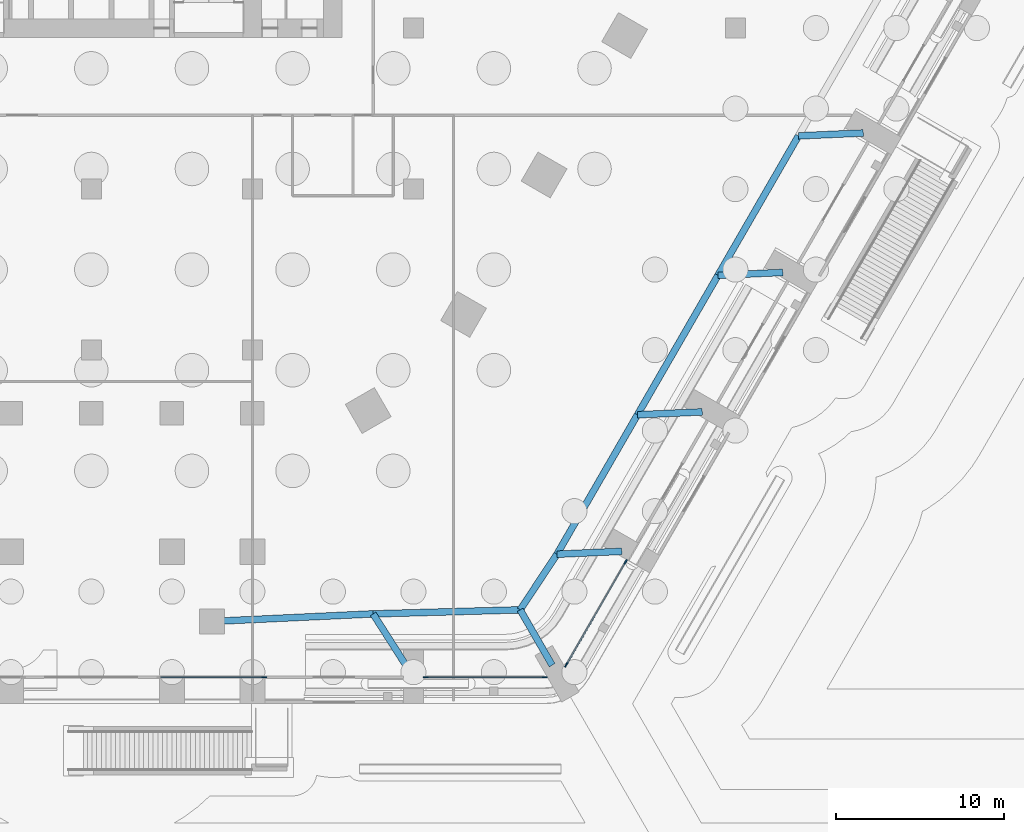
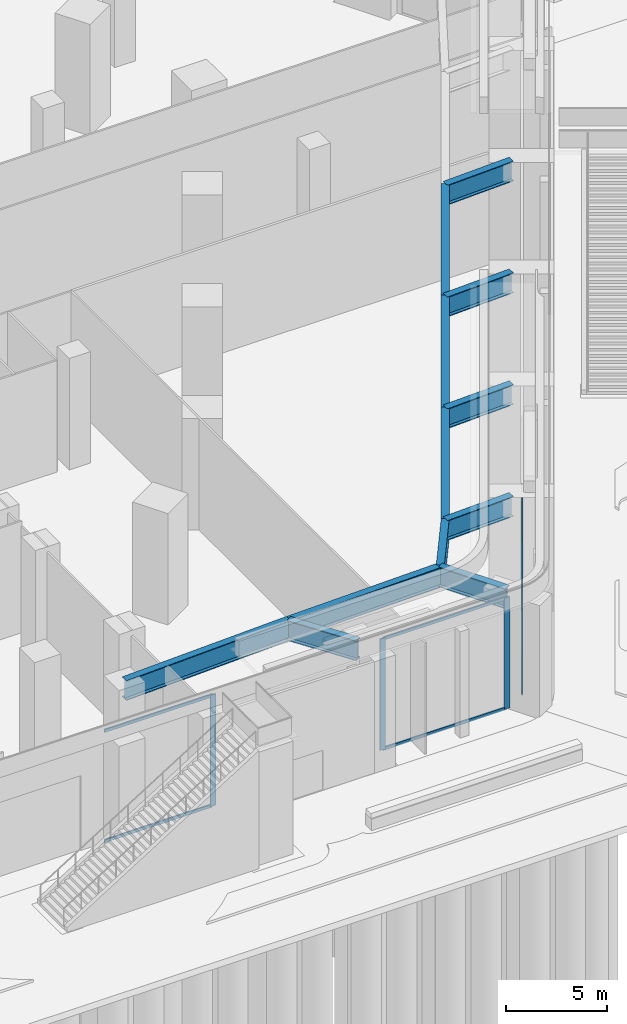
# One storey, part 5 of 68: 12 beams, 11 members, 3 elements without a shape of their own.
"""IFC4 building model written with IfcOpenShell, lengths in metres."""

from ifc_helpers import new_model, si_unit, direction, frame, origin, origin_2d, place, context, subcontext, project, spatial, rectangle, i_section, extrude, material, material_profile, profile_set, type_object, element, aggregate, save


model = new_model("IFC4")

# Units and contexts
model_context = context("Model", 3, precision=1e-05, world=origin(), true_north=direction((0.0, 1.0)))
body_context = subcontext(model_context, "Body", "Model", "MODEL_VIEW")
ifc_project = project(units=[si_unit("LENGTHUNIT", "METRE"), si_unit("AREAUNIT", "SQUARE_METRE"), si_unit("VOLUMEUNIT", "CUBIC_METRE"), si_unit("PLANEANGLEUNIT", "RADIAN"), si_unit("MASSUNIT", "GRAM", prefix="KILO")], contexts=[model_context])

# Site, building, storey
site_placement = place(None, origin())
site = spatial("IfcSite", under=ifc_project, at=site_placement, CompositionType="ELEMENT")
building_placement = place(site_placement, origin())
building = spatial("IfcBuilding", under=site, at=building_placement, Name="Kolab Exchange Tower", CompositionType="ELEMENT")
storey_placement = place(building_placement, origin())
storey = spatial("IfcBuildingStorey", under=building, at=storey_placement, Name="L00", CompositionType="ELEMENT", Elevation=0.0)

# Curtain wall, members
ifc_material_1 = material(Name="Aluminium EN AW-6063 T6", Category="aluminium")
curtain_wall_type = type_object("IfcCurtainWallType", Name="PODIUM STRUCTURAL GLAZING CURTAIN WALL", PredefinedType="NOTDEFINED", material=ifc_material_1)
curtain_wall_1_placement = place(storey_placement, origin())
curtain_wall_1 = element("IfcCurtainWall", 1, at=curtain_wall_1_placement, inside=storey, type_object=curtain_wall_type, Name="cw/L00/F3-2", PredefinedType="NOTDEFINED")
ifc_material_profile_1 = material_profile(ifc_material_1, rectangle(XDim=0.080078125, YDim=0.300048828125, at=origin_2d()), Name="RECT 80X300")
ifc_profile_set_1 = profile_set([ifc_material_profile_1], Name="Aluminium EN AW-6063 T6")
member_type_1 = type_object("IfcMemberType", Name="PODIUM STRUCTURAL GLAZING MULLION 80 X 300", PredefinedType="MULLION", material=ifc_profile_set_1)
member_1_placement = place(storey_placement, frame((31.856689453125, -41.4287109375, 0.0), z_axis=(0.0, 0.0, 1.0), x_axis=(0.866025384961, -0.500000032603, 0.0)))
member_1 = element("IfcMember", 2, at=member_1_placement, type_object=member_type_1, Name="CW5 mullion 1", PredefinedType="MULLION", context=body_context, shape_type="SweptSolid", body=[
    extrude(rectangle(XDim=0.080078125, YDim=0.300048828125, at=origin_2d()), origin(), (0.0, 0.0, 1.0), 6.699951171875),
])
member_2_placement = place(storey_placement, frame((28.317626953125, -47.558349609375, 0.0), z_axis=(0.0, 0.0, 1.0), x_axis=(0.866025384961, -0.500000032603, 0.0)))
member_2 = element("IfcMember", 3, at=member_2_placement, type_object=member_type_1, Name="CW5 mullion 2", PredefinedType="MULLION", context=body_context, shape_type="SweptSolid", body=[
    extrude(rectangle(XDim=0.080078125, YDim=0.300048828125, at=origin_2d()), origin(), (0.0, 0.0, 1.0), 6.699951171875),
])

curtain_wall_2_placement = place(storey_placement, origin())
curtain_wall_2 = element("IfcCurtainWall", 4, at=curtain_wall_2_placement, inside=storey, type_object=curtain_wall_type, Name="cw/L00/F4-1", PredefinedType="NOTDEFINED")
member_3_placement = place(storey_placement, frame((27.02783203125, -48.302978515625, 0.0), z_axis=(0.0, 0.0, 1.0), x_axis=(0.0, -1.0, 0.0)))
member_3 = element("IfcMember", 5, at=member_3_placement, type_object=member_type_1, Name="CW5 mullion 1", PredefinedType="MULLION", context=body_context, shape_type="SweptSolid", body=[
    extrude(rectangle(XDim=0.080078125, YDim=0.300048828125, at=origin_2d()), origin(), (0.0, 0.0, 1.0), 6.699951171875),
])
member_4_placement = place(storey_placement, frame((19.949951171875, -48.302978515625, 0.0), z_axis=(0.0, 0.0, 1.0), x_axis=(0.0, -1.0, 0.0)))
member_4 = element("IfcMember", 6, at=member_4_placement, type_object=member_type_1, Name="CW5 mullion 2", PredefinedType="MULLION", context=body_context, shape_type="SweptSolid", body=[
    extrude(rectangle(XDim=0.080078125, YDim=0.300048828125, at=origin_2d()), origin(), (0.0, 0.0, 1.0), 6.699951171875),
])

# Curtain wall, member
curtain_wall_3_placement = place(storey_placement, origin())
curtain_wall_3 = element("IfcCurtainWall", 7, at=curtain_wall_3_placement, inside=storey, type_object=curtain_wall_type, Name="cw/L00/F4-2", PredefinedType="NOTDEFINED")
member_5_placement = place(storey_placement, frame((10.31201171875, -48.302978515625, 0.0), z_axis=(0.0, 0.0, 1.0), x_axis=(0.0, -1.0, 0.0)))
member_5 = element("IfcMember", 8, at=member_5_placement, type_object=member_type_1, Name="CW5 mullion 1", PredefinedType="MULLION", context=body_context, shape_type="SweptSolid", body=[
    extrude(rectangle(XDim=0.080078125, YDim=0.300048828125, at=origin_2d()), origin(), (0.0, 0.0, 1.0), 6.699951171875),
])

# Member
ifc_material_profile_2 = material_profile(ifc_material_1, rectangle(XDim=0.080078125, YDim=0.179931640625, at=origin_2d()), Name="RECT 80X180")
ifc_profile_set_2 = profile_set([ifc_material_profile_2], Name="Aluminium EN AW-6063 T6")
member_type_2 = type_object("IfcMemberType", Name="PODIUM STRUCTURAL GLAZING TRANSOM 80 X 180", PredefinedType="USERDEFINED", material=ifc_profile_set_2)
member_6_placement = place(storey_placement, frame((31.836669921875, -41.46337890625, 0.0400390625), z_axis=(-0.500011362933, -0.866018843293, 0.0), x_axis=(0.866018843293, -0.500011362933, 0.0)))
member_6 = element("IfcMember", 9, at=member_6_placement, type_object=member_type_2, Name="CW5 transom 1.1", ObjectType="TRANSOM", PredefinedType="USERDEFINED", context=body_context, shape_type="SweptSolid", body=[
    extrude(rectangle(XDim=0.080078125, YDim=0.179931640625, at=origin_2d()), origin(), (0.0, 0.0, 1.0), 6.997802734375),
])

member_7_placement = place(storey_placement, frame((31.836669921875, -41.46337890625, 6.659912109375), z_axis=(-0.500011362933, -0.866018843293, 0.0), x_axis=(0.866018843293, -0.500011362933, 0.0)))
member_7 = element("IfcMember", 10, at=member_7_placement, type_object=member_type_2, Name="CW5 transom 1.2", ObjectType="TRANSOM", PredefinedType="USERDEFINED", context=body_context, shape_type="SweptSolid", body=[
    extrude(rectangle(XDim=0.080078125, YDim=0.179931640625, at=origin_2d()), origin(), (0.0, 0.0, 1.0), 6.997802734375),
])

aggregate(curtain_wall_1, [member_1, member_2, member_6, member_7])

member_8_placement = place(storey_placement, frame((26.988037109375, -48.302978515625, 0.0400390625), z_axis=(-1.0, 0.0, 0.0), x_axis=(0.0, -1.0, 0.0)))
member_8 = element("IfcMember", 11, at=member_8_placement, type_object=member_type_2, Name="CW5 transom 1.1", ObjectType="TRANSOM", PredefinedType="USERDEFINED", context=body_context, shape_type="SweptSolid", body=[
    extrude(rectangle(XDim=0.080078125, YDim=0.179931640625, at=origin_2d()), origin(), (0.0, 0.0, 1.0), 6.998046875),
])

member_9_placement = place(storey_placement, frame((26.988037109375, -48.302978515625, 6.659912109375), z_axis=(-1.0, 0.0, 0.0), x_axis=(0.0, -1.0, 0.0)))
member_9 = element("IfcMember", 12, at=member_9_placement, type_object=member_type_2, Name="CW5 transom 1.2", ObjectType="TRANSOM", PredefinedType="USERDEFINED", context=body_context, shape_type="SweptSolid", body=[
    extrude(rectangle(XDim=0.080078125, YDim=0.179931640625, at=origin_2d()), origin(), (0.0, 0.0, 1.0), 6.998046875),
])

aggregate(curtain_wall_2, [member_3, member_4, member_8, member_9])

member_10_placement = place(storey_placement, frame((10.27197265625, -48.302978515625, 0.0400390625), z_axis=(-1.0, 0.0, 0.0), x_axis=(0.0, -1.0, 0.0)))
member_10 = element("IfcMember", 13, at=member_10_placement, type_object=member_type_2, Name="CW5 transom 1.1", ObjectType="TRANSOM", PredefinedType="USERDEFINED", context=body_context, shape_type="SweptSolid", body=[
    extrude(rectangle(XDim=0.080078125, YDim=0.179931640625, at=origin_2d()), origin(), (0.0, 0.0, 1.0), 6.14404296875),
])

member_11_placement = place(storey_placement, frame((10.27197265625, -48.302978515625, 6.659912109375), z_axis=(-1.0, 0.0, 0.0), x_axis=(0.0, -1.0, 0.0)))
member_11 = element("IfcMember", 14, at=member_11_placement, type_object=member_type_2, Name="CW5 transom 1.2", ObjectType="TRANSOM", PredefinedType="USERDEFINED", context=body_context, shape_type="SweptSolid", body=[
    extrude(rectangle(XDim=0.080078125, YDim=0.179931640625, at=origin_2d()), origin(), (0.0, 0.0, 1.0), 6.14404296875),
])

aggregate(curtain_wall_3, [member_5, member_10, member_11])

# Beams
ifc_material_2 = material(Name="Steel S355", Category="steel")
ifc_material_profile_3 = material_profile(ifc_material_2, i_section(OverallWidth=0.39990234375, OverallDepth=1.199951171875, WebThickness=0.02490234375, FlangeThickness=0.0400390625, at=origin_2d()), Name="PG1200X400")
ifc_profile_set_3 = profile_set([ifc_material_profile_3], Name="Steel S355")
beam_type = type_object("IfcBeamType", Name="TRANSFER GIRDER PG1200X400", PredefinedType="BEAM", material=ifc_profile_set_3)
beam_1_placement = place(storey_placement, frame((42.160888671875, -16.027587890625, 6.10009765625), z_axis=(0.998995304141, 0.044814978577, 0.0), x_axis=(-0.044814978577, 0.998995304141, 0.0)))
element("IfcBeam", 15, at=beam_1_placement, inside=storey, type_object=beam_type, Name="beam/L00/tg/P1-F3-05", PredefinedType="BEAM", context=body_context, shape_type="SweptSolid", body=[
    extrude(i_section(OverallWidth=0.39990234375, OverallDepth=1.199951171875, WebThickness=0.02490234375, FlangeThickness=0.0400390625, at=origin_2d()), origin(), (0.0, 0.0, 1.0), 3.867919921875),
])
for number, where, z_axis, x_axis, name in (
    (16, (37.36083984375, -24.341552734375, 6.10009765625), (0.99899260341, 0.044875141586, 0.0), (-0.044875141586, 0.99899260341, 0.0), "beam/L00/tg/P1-F3-07"),
    (17, (32.560791015625, -32.655517578125, 6.10009765625), (0.998989771967, 0.044938129747, 0.0), (-0.044938129747, 0.998989771967, 0.0), "beam/L00/tg/P1-F3-09"),
    (18, (27.7607421875, -40.96923828125, 6.10009765625), (0.99899260341, 0.044875141586, 0.0), (-0.044875141586, 0.99899260341, 0.0), "beam/L00/tg/P1-F3-11"),
):
    element("IfcBeam", number, at=place(storey_placement, frame(where, z_axis=z_axis, x_axis=x_axis)), inside=storey, type_object=beam_type, Name=name, PredefinedType="BEAM", context=body_context, shape_type="SweptSolid", body=[
        extrude(i_section(OverallWidth=0.39990234375, OverallDepth=1.199951171875, WebThickness=0.02490234375, FlangeThickness=0.0400390625, at=origin_2d()), origin(), (0.0, 0.0, 1.0), 3.8681640625),
    ])
beam_2_placement = place(storey_placement, frame((25.56787109375, -44.284912109375, 6.10009765625), z_axis=(0.500005339912, -0.866022320763, 0.0), x_axis=(0.866022320763, 0.500005339912, 0.0)))
element("IfcBeam", 19, at=beam_2_placement, inside=storey, type_object=beam_type, Name="beam/L00/tg/P1-F4-01", PredefinedType="BEAM", context=body_context, shape_type="SweptSolid", body=[
    extrude(i_section(OverallWidth=0.39990234375, OverallDepth=1.199951171875, WebThickness=0.02490234375, FlangeThickness=0.0400390625, at=origin_2d()), origin(), (0.0, 0.0, 1.0), 3.81005859375),
])
beam_3_placement = place(storey_placement, frame((16.800048828125, -44.526123046875, 6.10009765625), z_axis=(0.538324533078, -0.842737620548, 0.0), x_axis=(0.842737620548, 0.538324533078, 0.0)))
element("IfcBeam", 20, at=beam_3_placement, inside=storey, type_object=beam_type, Name="beam/L00/tg/P1-F4-03", PredefinedType="BEAM", context=body_context, shape_type="SweptSolid", body=[
    extrude(i_section(OverallWidth=0.39990234375, OverallDepth=1.199951171875, WebThickness=0.02490234375, FlangeThickness=0.0400390625, at=origin_2d()), origin(), (0.0, 0.0, 1.0), 3.8681640625),
])
for number, where, z_axis, x_axis, name in (
    (21, (42.160888671875, -16.027587890625, 6.10009765625), (-0.499998358424, -0.866026351547, 0.0), (0.866026351547, -0.499998358424, 0.0), "beam/L00/rg/P1-F3-05"),
    (22, (37.36083984375, -24.341552734375, 6.10009765625), (-0.499998358424, -0.866026351547, 0.0), (0.866026351547, -0.499998358424, 0.0), "beam/L00/rg/P1-F3-07"),
):
    element("IfcBeam", number, at=place(storey_placement, frame(where, z_axis=z_axis, x_axis=x_axis)), inside=storey, type_object=beam_type, Name=name, PredefinedType="BEAM", context=body_context, shape_type="SweptSolid", body=[
        extrude(i_section(OverallWidth=0.39990234375, OverallDepth=1.199951171875, WebThickness=0.02490234375, FlangeThickness=0.0400390625, at=origin_2d()), origin(), (0.0, 0.0, 1.0), 9.60009765625),
    ])
beam_4_placement = place(storey_placement, frame((32.560791015625, -32.655517578125, 6.10009765625), z_axis=(-0.500009370536, -0.866019993635, 0.0), x_axis=(0.866019993635, -0.500009370536, 0.0)))
element("IfcBeam", 23, at=beam_4_placement, inside=storey, type_object=beam_type, Name="beam/L00/rg/P1-F3-09", PredefinedType="BEAM", context=body_context, shape_type="SweptSolid", body=[
    extrude(i_section(OverallWidth=0.39990234375, OverallDepth=1.199951171875, WebThickness=0.02490234375, FlangeThickness=0.0400390625, at=origin_2d()), origin(), (0.0, 0.0, 1.0), 9.599853515625),
])
beam_5_placement = place(storey_placement, frame((27.7607421875, -40.96923828125, 6.10009765625), z_axis=(-0.551635109229, -0.834085550928, 0.0), x_axis=(0.834085550928, -0.551635109229, 0.0)))
element("IfcBeam", 24, at=beam_5_placement, inside=storey, type_object=beam_type, Name="beam/L00/rg/P1-F3-11", PredefinedType="BEAM", context=body_context, shape_type="SweptSolid", body=[
    extrude(i_section(OverallWidth=0.39990234375, OverallDepth=1.199951171875, WebThickness=0.02490234375, FlangeThickness=0.0400390625, at=origin_2d()), origin(), (0.0, 0.0, 1.0), 3.975341796875),
])
beam_6_placement = place(storey_placement, frame((25.56787109375, -44.284912109375, 6.10009765625), z_axis=(-0.999621789061, -0.027500524256, 0.0), x_axis=(0.027500524256, -0.999621789061, 0.0)))
element("IfcBeam", 25, at=beam_6_placement, inside=storey, type_object=beam_type, Name="beam/L00/rg/P1-F4-01", PredefinedType="BEAM", context=body_context, shape_type="SweptSolid", body=[
    extrude(i_section(OverallWidth=0.39990234375, OverallDepth=1.199951171875, WebThickness=0.02490234375, FlangeThickness=0.0400390625, at=origin_2d()), origin(), (0.0, 0.0, 1.0), 8.771240234375),
])
beam_7_placement = place(storey_placement, frame((16.800048828125, -44.526123046875, 6.10009765625), z_axis=(-0.998903434265, -0.046818041538, 0.0), x_axis=(0.046818041538, -0.998903434265, 0.0)))
element("IfcBeam", 26, at=beam_7_placement, inside=storey, type_object=beam_type, Name="beam/L00/rg/P1-F4-03", PredefinedType="BEAM", context=body_context, shape_type="SweptSolid", body=[
    extrude(i_section(OverallWidth=0.39990234375, OverallDepth=1.199951171875, WebThickness=0.02490234375, FlangeThickness=0.0400390625, at=origin_2d()), origin(), (0.0, 0.0, 1.0), 9.610595703125),
])

save(model, "model.ifc")
